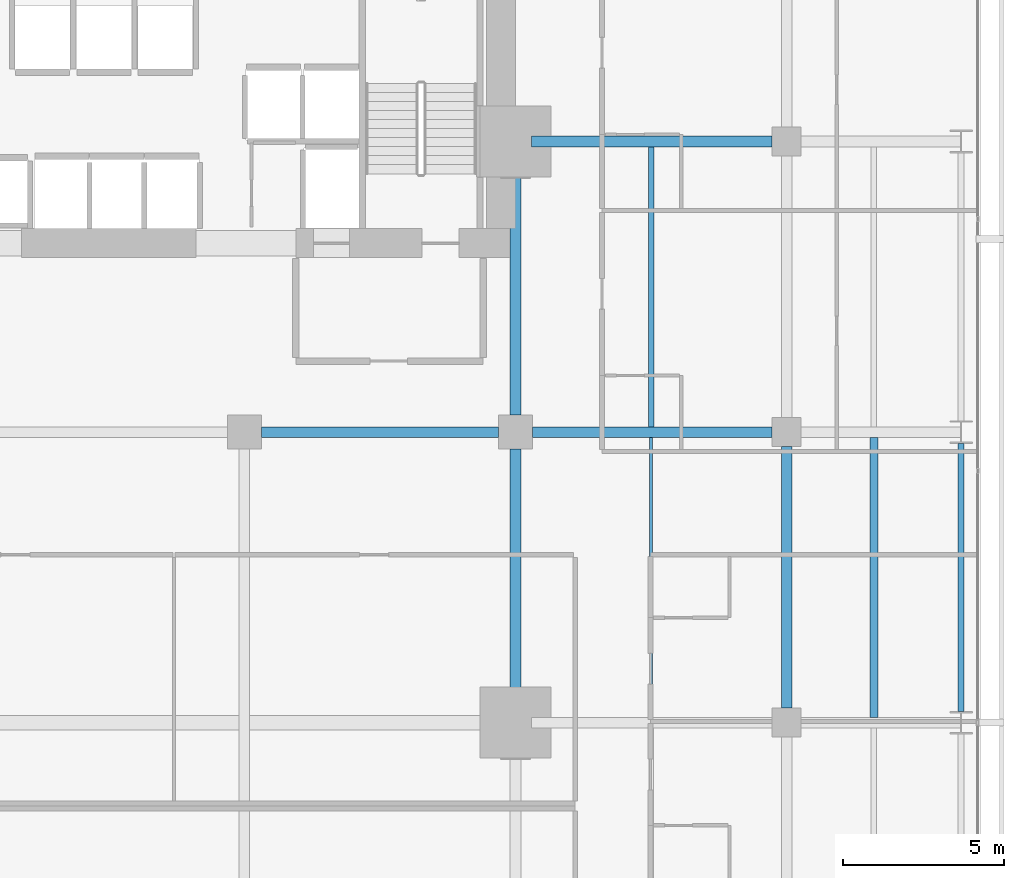
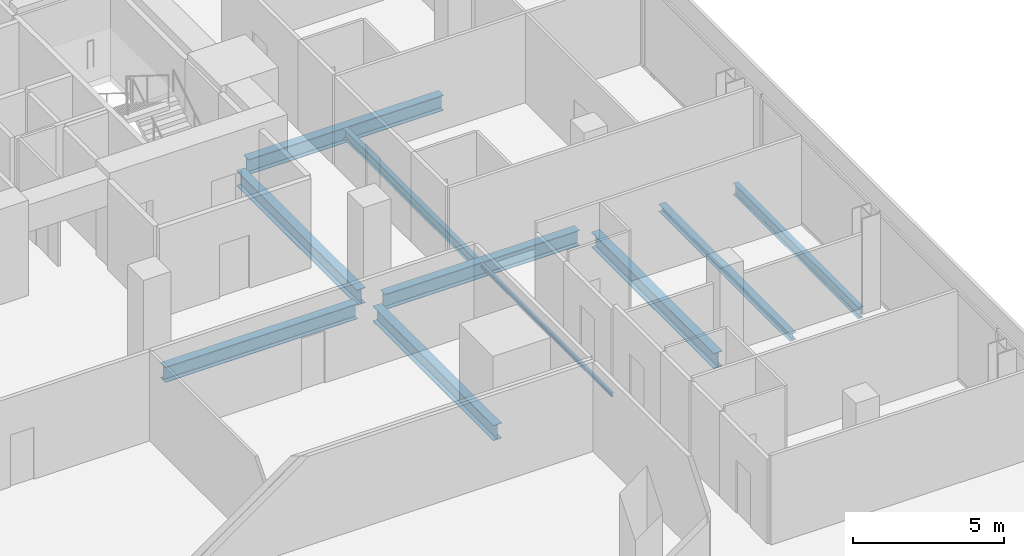
# One storey, part 27 of 39: 10 beams.
"""IFC4 building model written with IfcOpenShell, lengths in metres."""

from ifc_helpers import new_model, si_unit, direction, frame, origin, origin_2d, place, context, subcontext, project, spatial, i_section, extrude, material, material_profile, profile_set, type_object, element, save


model = new_model("IFC4")

# Units and contexts
model_context = context("Model", 3, precision=1e-05, world=origin(), true_north=direction((0.0, 1.0)))
body_context = subcontext(model_context, "Body", "Model", "MODEL_VIEW")
ifc_project = project(units=[si_unit("LENGTHUNIT", "METRE"), si_unit("AREAUNIT", "SQUARE_METRE"), si_unit("VOLUMEUNIT", "CUBIC_METRE"), si_unit("PLANEANGLEUNIT", "RADIAN"), si_unit("MASSUNIT", "GRAM", prefix="KILO")], contexts=[model_context])

# Site, building, storey
site_placement = place(None, origin())
site = spatial("IfcSite", under=ifc_project, at=site_placement, CompositionType="ELEMENT")
building_placement = place(site_placement, origin())
building = spatial("IfcBuilding", under=site, at=building_placement, Name="Maruvema Waterfront Hotel and Observation Tower", CompositionType="ELEMENT")
storey_placement = place(building_placement, frame((0.0, 0.0, 46.199951171875)))
storey = spatial("IfcBuildingStorey", under=building, at=storey_placement, Name="L10", CompositionType="ELEMENT", Elevation=46.199951171875)

# Beams
ifc_material_1 = material(Name="Steel ASTM A572 Grade 50", Category="steel")
ifc_material_profile_1 = material_profile(ifc_material_1, i_section(OverallWidth=0.18994140625, OverallDepth=0.45703125, WebThickness=0.009033203125, FlangeThickness=0.014404296875, FilletRadius=0.014892578125, at=origin_2d()), Name="W460x74.0")
ifc_profile_set_1 = profile_set([ifc_material_profile_1], Name="Steel ASTM A572 Grade 50")
beam_type_1 = type_object("IfcBeamType", Name="Perimeter Spandrel Beam W460x74.0", PredefinedType="SPANDREL", material=ifc_profile_set_1)
beam_1_placement = place(storey_placement, frame((64.199951171875, 27.35009765625, -0.468505859375), z_axis=(0.0, 1.0, 0.0), x_axis=(-1.0, 0.0, 0.0)))
element("IfcBeam", 1, at=beam_1_placement, inside=storey, type_object=beam_type_1, Name="L10 Floor Girder NS-35", PredefinedType="SPANDREL", context=body_context, shape_type="SweptSolid", body=[
    extrude(i_section(OverallWidth=0.18994140625, OverallDepth=0.45703125, WebThickness=0.009033203125, FlangeThickness=0.014404296875, FilletRadius=0.014892578125, at=origin_2d()), origin(), (0.0, 0.0, 1.0), 8.2998046875),
])
ifc_material_2 = material(Name="Steel ASTM A572 Grade 50", Category="steel")
ifc_material_profile_2 = material_profile(ifc_material_2, i_section(OverallWidth=0.326904296875, OverallDepth=0.6220703125, WebThickness=0.015380859375, FlangeThickness=0.0244140625, FilletRadius=0.01806640625, at=origin_2d()), Name="W610x195.0")
ifc_profile_set_2 = profile_set([ifc_material_profile_2], Name="Steel ASTM A572 Grade 50")
beam_type_2 = type_object("IfcBeamType", Name="Primary Floor Girder W610x195.0", PredefinedType="BEAM", material=ifc_profile_set_2)
beam_2_placement = place(storey_placement, frame((42.52490234375, 36.0, -0.551025390625), z_axis=(1.0, 0.0, 0.0), x_axis=(0.0, 1.0, 0.0)))
element("IfcBeam", 2, at=beam_2_placement, inside=storey, type_object=beam_type_2, Name="L10 Floor Girder EW-29", PredefinedType="BEAM", context=body_context, shape_type="SweptSolid", body=[
    extrude(i_section(OverallWidth=0.326904296875, OverallDepth=0.6220703125, WebThickness=0.015380859375, FlangeThickness=0.0244140625, FilletRadius=0.01806640625, at=origin_2d()), origin(), (0.0, 0.0, 1.0), 7.35009765625),
])
beam_3_placement = place(storey_placement, frame((50.925048828125, 36.0, -0.551025390625), z_axis=(1.0, 0.0, 0.0), x_axis=(0.0, 1.0, 0.0)))
element("IfcBeam", 3, at=beam_3_placement, inside=storey, type_object=beam_type_2, Name="L10 Floor Girder EW-30", PredefinedType="BEAM", context=body_context, shape_type="SweptSolid", body=[
    extrude(i_section(OverallWidth=0.326904296875, OverallDepth=0.6220703125, WebThickness=0.015380859375, FlangeThickness=0.0244140625, FilletRadius=0.01806640625, at=origin_2d()), origin(), (0.0, 0.0, 1.0), 7.425048828125),
])
beam_4_placement = place(storey_placement, frame((50.89990234375, 45.0, -0.551025390625), z_axis=(1.0, 0.0, 0.0), x_axis=(0.0, 1.0, 0.0)))
element("IfcBeam", 4, at=beam_4_placement, inside=storey, type_object=beam_type_2, Name="L10 Floor Girder EW-34", PredefinedType="BEAM", context=body_context, shape_type="SweptSolid", body=[
    extrude(i_section(OverallWidth=0.326904296875, OverallDepth=0.6220703125, WebThickness=0.015380859375, FlangeThickness=0.0244140625, FilletRadius=0.01806640625, at=origin_2d()), origin(), (0.0, 0.0, 1.0), 7.4501953125),
])
for number, where, z_axis, x_axis, name in (
    (5, (50.39990234375, 27.5, -0.551025390625), (0.0, 1.0, 0.0), (-1.0, 0.0, 0.0), "L10 Floor Girder NS-25"),
    (6, (50.39990234375, 36.52490234375, -0.551025390625), (0.0, 1.0, 0.0), (-1.0, 0.0, 0.0), "L10 Floor Girder NS-26"),
):
    element("IfcBeam", number, at=place(storey_placement, frame(where, z_axis=z_axis, x_axis=x_axis)), inside=storey, type_object=beam_type_2, Name=name, PredefinedType="BEAM", context=body_context, shape_type="SweptSolid", body=[
        extrude(i_section(OverallWidth=0.326904296875, OverallDepth=0.6220703125, WebThickness=0.015380859375, FlangeThickness=0.0244140625, FilletRadius=0.01806640625, at=origin_2d()), origin(), (0.0, 0.0, 1.0), 7.97509765625),
    ])
beam_5_placement = place(storey_placement, frame((58.800048828125, 27.449951171875, -0.551025390625), z_axis=(0.0, 1.0, 0.0), x_axis=(-1.0, 0.0, 0.0)))
element("IfcBeam", 7, at=beam_5_placement, inside=storey, type_object=beam_type_2, Name="L10 Floor Girder NS-30", PredefinedType="BEAM", context=body_context, shape_type="SweptSolid", body=[
    extrude(i_section(OverallWidth=0.326904296875, OverallDepth=0.6220703125, WebThickness=0.015380859375, FlangeThickness=0.0244140625, FilletRadius=0.01806640625, at=origin_2d()), origin(), (0.0, 0.0, 1.0), 8.10009765625),
])
ifc_material_3 = material(Name="Steel ASTM A572 Grade 50", Category="steel")
ifc_material_profile_3 = material_profile(ifc_material_3, i_section(OverallWidth=0.10009765625, OverallDepth=0.153076171875, WebThickness=0.005859375, FlangeThickness=0.007080078125, FilletRadius=0.008056640625, at=origin_2d()), Name="W150x18.0")
ifc_profile_set_3 = profile_set([ifc_material_profile_3], Name="Steel ASTM A572 Grade 50")
beam_type_3 = type_object("IfcBeamType", Name="Secondary Floor Joist W150x18.0", PredefinedType="JOIST", material=ifc_profile_set_3)
beam_6_placement = place(storey_placement, frame((54.60009765625, 27.16357421875, -0.31640625), z_axis=(0.0, 1.0, 0.0), x_axis=(-1.0, 0.0, 0.0)))
element("IfcBeam", 8, at=beam_6_placement, inside=storey, type_object=beam_type_3, Name="L10 Secondary Floor Joist JS-19", PredefinedType="JOIST", context=body_context, shape_type="SweptSolid", body=[
    extrude(i_section(OverallWidth=0.10009765625, OverallDepth=0.153076171875, WebThickness=0.005859375, FlangeThickness=0.007080078125, FilletRadius=0.008056640625, at=origin_2d()), origin(), (0.0, 0.0, 1.0), 8.6728515625),
])
ifc_material_4 = material(Name="Steel ASTM A572 Grade 50", Category="steel")
ifc_material_profile_4 = material_profile(ifc_material_4, i_section(OverallWidth=0.25390625, OverallDepth=0.305908203125, WebThickness=0.0087890625, FlangeThickness=0.0146484375, FilletRadius=0.014892578125, at=origin_2d()), Name="W310x79.0")
ifc_profile_set_4 = profile_set([ifc_material_profile_4], Name="Steel ASTM A572 Grade 50")
beam_type_4 = type_object("IfcBeamType", Name="Secondary Floor Joist W310x79.0", PredefinedType="JOIST", material=ifc_profile_set_4)
beam_7_placement = place(storey_placement, frame((61.5, 27.16357421875, -0.39306640625), z_axis=(0.0, 1.0, 0.0), x_axis=(-1.0, 0.0, 0.0)))
element("IfcBeam", 9, at=beam_7_placement, inside=storey, type_object=beam_type_4, Name="L10 Secondary Floor Joist JS-23", PredefinedType="JOIST", context=body_context, shape_type="SweptSolid", body=[
    extrude(i_section(OverallWidth=0.25390625, OverallDepth=0.305908203125, WebThickness=0.0087890625, FlangeThickness=0.0146484375, FilletRadius=0.014892578125, at=origin_2d()), origin(), (0.0, 0.0, 1.0), 8.6728515625),
])
ifc_material_5 = material(Name="Steel ASTM A572 Grade 50", Category="steel")
ifc_material_profile_5 = material_profile(ifc_material_5, i_section(OverallWidth=0.177001953125, OverallDepth=0.403076171875, WebThickness=0.007568359375, FlangeThickness=0.010986328125, FilletRadius=0.014892578125, at=origin_2d()), Name="W410x53.0")
ifc_profile_set_5 = profile_set([ifc_material_profile_5], Name="Steel ASTM A572 Grade 50")
beam_type_5 = type_object("IfcBeamType", Name="Secondary Floor Joist W410x53.0", PredefinedType="JOIST", material=ifc_profile_set_5)
beam_8_placement = place(storey_placement, frame((54.60009765625, 36.16357421875, -0.44140625), z_axis=(0.0, 1.0, 0.0), x_axis=(-1.0, 0.0, 0.0)))
element("IfcBeam", 10, at=beam_8_placement, inside=storey, type_object=beam_type_5, Name="L10 Secondary Floor Joist JS-20", PredefinedType="JOIST", context=body_context, shape_type="SweptSolid", body=[
    extrude(i_section(OverallWidth=0.177001953125, OverallDepth=0.403076171875, WebThickness=0.007568359375, FlangeThickness=0.010986328125, FilletRadius=0.014892578125, at=origin_2d()), origin(), (0.0, 0.0, 1.0), 8.6728515625),
])

save(model, "model.ifc")
